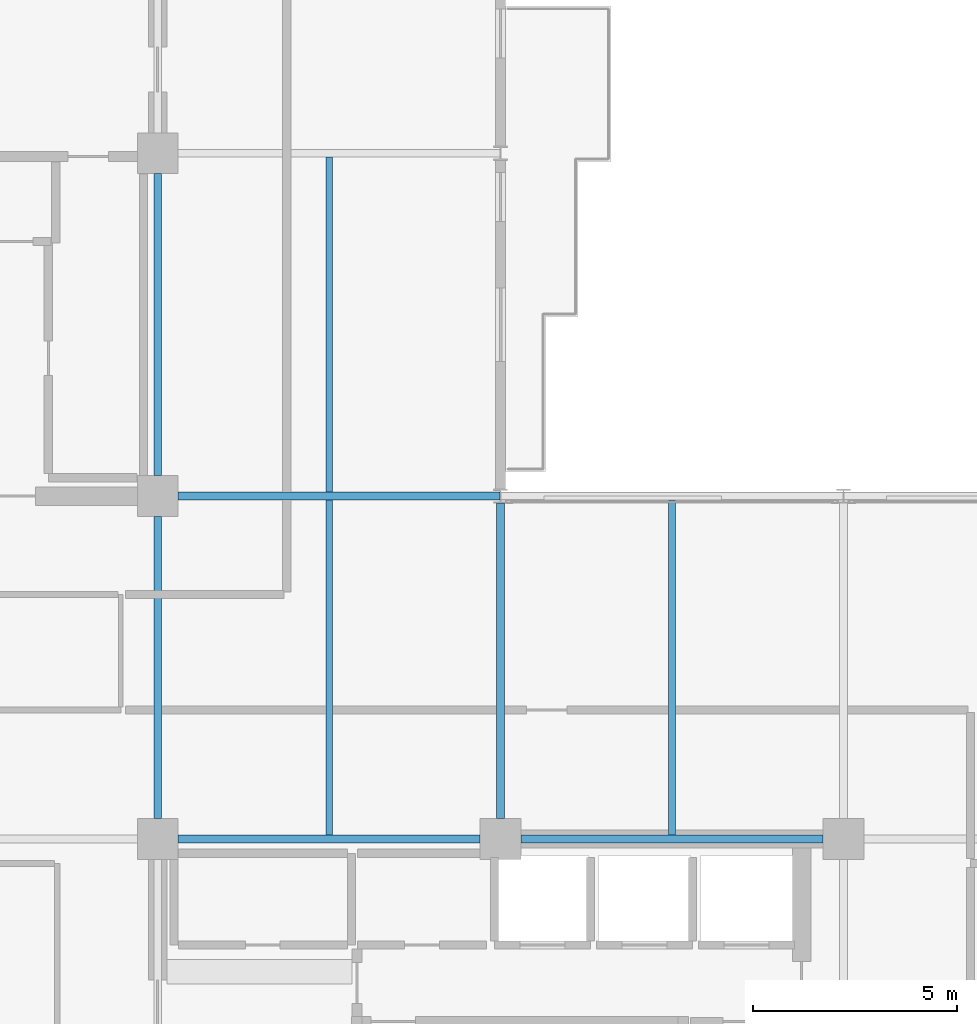
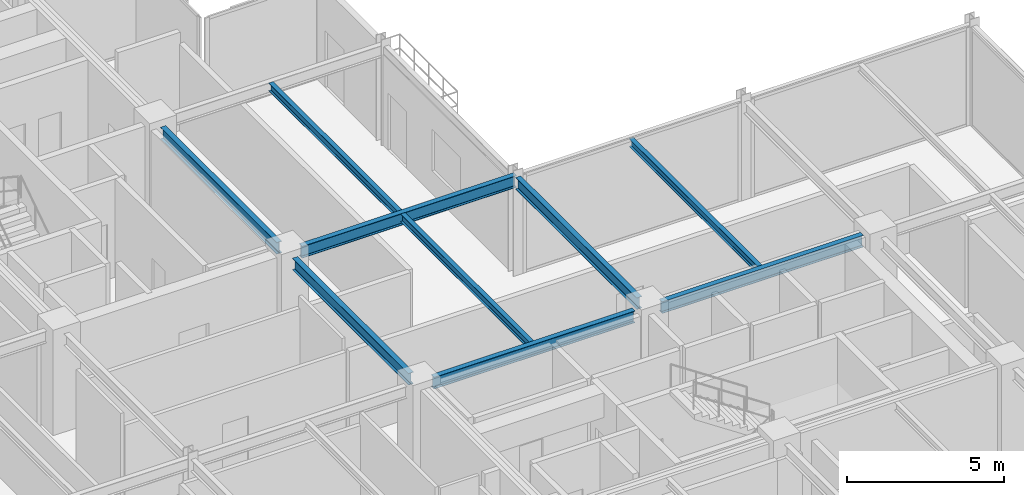
# One storey, part 11 of 25: 9 beams.
"""IFC4 building model written with IfcOpenShell, lengths in metres."""

from ifc_helpers import new_model, si_unit, direction, frame, origin, origin_2d, place, context, subcontext, project, spatial, i_section, extrude, material, material_profile, profile_set, type_object, element, save


model = new_model("IFC4")

# Units and contexts
model_context = context("Model", 3, precision=1e-05, world=origin(), true_north=direction((0.0, 1.0)))
body_context = subcontext(model_context, "Body", "Model", "MODEL_VIEW")
ifc_project = project(units=[si_unit("LENGTHUNIT", "METRE"), si_unit("AREAUNIT", "SQUARE_METRE"), si_unit("VOLUMEUNIT", "CUBIC_METRE"), si_unit("PLANEANGLEUNIT", "RADIAN"), si_unit("MASSUNIT", "GRAM", prefix="KILO")], contexts=[model_context])

# Site, building, storey
site_placement = place(None, origin())
site = spatial("IfcSite", under=ifc_project, at=site_placement, CompositionType="ELEMENT")
building_placement = place(site_placement, origin())
building = spatial("IfcBuilding", under=site, at=building_placement, Name="Nerrivon Quay Data Exchange", CompositionType="ELEMENT")
storey_placement = place(building_placement, frame((0.0, 0.0, 232.89990234375)))
storey = spatial("IfcBuildingStorey", under=building, at=storey_placement, Name="L55", CompositionType="ELEMENT", Elevation=232.89990234375)

# Beams
ifc_material = material(Name="Steel Grade 350", Category="steel")
ifc_material_profile_1 = material_profile(ifc_material, i_section(OverallWidth=0.19091796875, OverallDepth=0.4599609375, WebThickness=0.010009765625, FlangeThickness=0.01611328125, FilletRadius=0.011474609375, at=origin_2d()), Name="460UB82.1")
ifc_profile_set_1 = profile_set([ifc_material_profile_1], Name="Steel Grade 350")
beam_type_1 = type_object("IfcBeamType", Name="BM-G5-460UB82", PredefinedType="BEAM", material=ifc_profile_set_1)
beam_1_placement = place(storey_placement, frame((17.300048828125, 16.800048828125, 3.59521484375), z_axis=(1.0, 0.0, 0.0), x_axis=(0.0, 1.0, 0.0)))
element("IfcBeam", 1, at=beam_1_placement, inside=storey, type_object=beam_type_1, Name="L55 EW Girder Y=16.8 (16.8..25.2)", PredefinedType="BEAM", context=body_context, shape_type="SweptSolid", body=[
    extrude(i_section(OverallWidth=0.19091796875, OverallDepth=0.4599609375, WebThickness=0.010009765625, FlangeThickness=0.01611328125, FilletRadius=0.011474609375, at=origin_2d()), origin(), (0.0, 0.0, 1.0), 7.39990234375),
])
beam_2_placement = place(storey_placement, frame((25.699951171875, 16.800048828125, 3.59521484375), z_axis=(1.0, 0.0, 0.0), x_axis=(0.0, 1.0, 0.0)))
element("IfcBeam", 2, at=beam_2_placement, inside=storey, type_object=beam_type_1, Name="L55 EW Girder Y=16.8 (25.2..33.6)", PredefinedType="BEAM", context=body_context, shape_type="SweptSolid", body=[
    extrude(i_section(OverallWidth=0.19091796875, OverallDepth=0.4599609375, WebThickness=0.010009765625, FlangeThickness=0.01611328125, FilletRadius=0.011474609375, at=origin_2d()), origin(), (0.0, 0.0, 1.0), 7.400146484375),
])
beam_3_placement = place(storey_placement, frame((17.300048828125, 25.199951171875, 3.59521484375), z_axis=(1.0, 0.0, 0.0), x_axis=(0.0, 1.0, 0.0)))
element("IfcBeam", 3, at=beam_3_placement, inside=storey, type_object=beam_type_1, Name="L55 EW Girder Y=25.2 (16.8..25.2)", PredefinedType="BEAM", context=body_context, shape_type="SweptSolid", body=[
    extrude(i_section(OverallWidth=0.19091796875, OverallDepth=0.4599609375, WebThickness=0.010009765625, FlangeThickness=0.01611328125, FilletRadius=0.011474609375, at=origin_2d()), origin(), (0.0, 0.0, 1.0), 7.889892578125),
])
ifc_material_profile_2 = material_profile(ifc_material, i_section(OverallWidth=0.18994140625, OverallDepth=0.4541015625, WebThickness=0.008544921875, FlangeThickness=0.0126953125, FilletRadius=0.011474609375, at=origin_2d()), Name="460UB67.1")
ifc_profile_set_2 = profile_set([ifc_material_profile_2], Name="Steel Grade 350")
beam_type_2 = type_object("IfcBeamType", Name="BM-G6-460UB67", PredefinedType="BEAM", material=ifc_profile_set_2)
beam_4_placement = place(storey_placement, frame((16.800048828125, 17.300048828125, 3.59814453125), z_axis=(0.0, 1.0, 0.0), x_axis=(-1.0, 0.0, 0.0)))
element("IfcBeam", 4, at=beam_4_placement, inside=storey, type_object=beam_type_2, Name="L55 NS Girder X=16.8 (16.8..25.2)", PredefinedType="BEAM", context=body_context, shape_type="SweptSolid", body=[
    extrude(i_section(OverallWidth=0.18994140625, OverallDepth=0.4541015625, WebThickness=0.008544921875, FlangeThickness=0.0126953125, FilletRadius=0.011474609375, at=origin_2d()), origin(), (0.0, 0.0, 1.0), 7.39990234375),
])
beam_5_placement = place(storey_placement, frame((16.800048828125, 25.699951171875, 3.59814453125), z_axis=(0.0, 1.0, 0.0), x_axis=(-1.0, 0.0, 0.0)))
element("IfcBeam", 5, at=beam_5_placement, inside=storey, type_object=beam_type_2, Name="L55 NS Girder X=16.8 (25.2..33.6)", PredefinedType="BEAM", context=body_context, shape_type="SweptSolid", body=[
    extrude(i_section(OverallWidth=0.18994140625, OverallDepth=0.4541015625, WebThickness=0.008544921875, FlangeThickness=0.0126953125, FilletRadius=0.011474609375, at=origin_2d()), origin(), (0.0, 0.0, 1.0), 7.400146484375),
])
beam_6_placement = place(storey_placement, frame((25.199951171875, 17.300048828125, 3.59814453125), z_axis=(0.0, 1.0, 0.0), x_axis=(-1.0, 0.0, 0.0)))
element("IfcBeam", 6, at=beam_6_placement, inside=storey, type_object=beam_type_2, Name="L55 NS Girder X=25.2 (16.8..25.2)", PredefinedType="BEAM", context=body_context, shape_type="SweptSolid", body=[
    extrude(i_section(OverallWidth=0.18994140625, OverallDepth=0.4541015625, WebThickness=0.008544921875, FlangeThickness=0.0126953125, FilletRadius=0.011474609375, at=origin_2d()), origin(), (0.0, 0.0, 1.0), 7.724853515625),
])
ifc_material_profile_3 = material_profile(ifc_material, i_section(OverallWidth=0.166015625, OverallDepth=0.306884765625, WebThickness=0.006591796875, FlangeThickness=0.01171875, FilletRadius=0.011474609375, at=origin_2d()), Name="310UB46.2")
ifc_profile_set_3 = profile_set([ifc_material_profile_3], Name="Steel Grade 350")
beam_type_3 = type_object("IfcBeamType", Name="BM-J5-310UB46", PredefinedType="JOIST", material=ifc_profile_set_3)
for number, where, z_axis, x_axis, name in (
    (7, (21.0, 16.8955078125, 3.671630859375), (0.0, 1.0, 0.0), (-1.0, 0.0, 0.0), "L55 Secondary Joist X=21.0 (16.8..25.2)"),
    (8, (21.0, 25.29541015625, 3.671630859375), (0.0, 1.0, 0.0), (-1.0, 0.0, 0.0), "L55 Secondary Joist X=21.0 (25.2..33.6)"),
):
    element("IfcBeam", number, at=place(storey_placement, frame(where, z_axis=z_axis, x_axis=x_axis)), inside=storey, type_object=beam_type_3, Name=name, PredefinedType="JOIST", context=body_context, shape_type="SweptSolid", body=[
        extrude(i_section(OverallWidth=0.166015625, OverallDepth=0.306884765625, WebThickness=0.006591796875, FlangeThickness=0.01171875, FilletRadius=0.011474609375, at=origin_2d()), origin(), (0.0, 0.0, 1.0), 8.208984375),
    ])
beam_7_placement = place(storey_placement, frame((29.39990234375, 16.8955078125, 3.671630859375), z_axis=(0.0, 1.0, 0.0), x_axis=(-1.0, 0.0, 0.0)))
element("IfcBeam", 9, at=beam_7_placement, inside=storey, type_object=beam_type_3, Name="L55 Secondary Joist X=29.4 (16.8..25.2)", PredefinedType="JOIST", context=body_context, shape_type="SweptSolid", body=[
    extrude(i_section(OverallWidth=0.166015625, OverallDepth=0.306884765625, WebThickness=0.006591796875, FlangeThickness=0.01171875, FilletRadius=0.011474609375, at=origin_2d()), origin(), (0.0, 0.0, 1.0), 8.20458984375),
])

save(model, "model.ifc")
